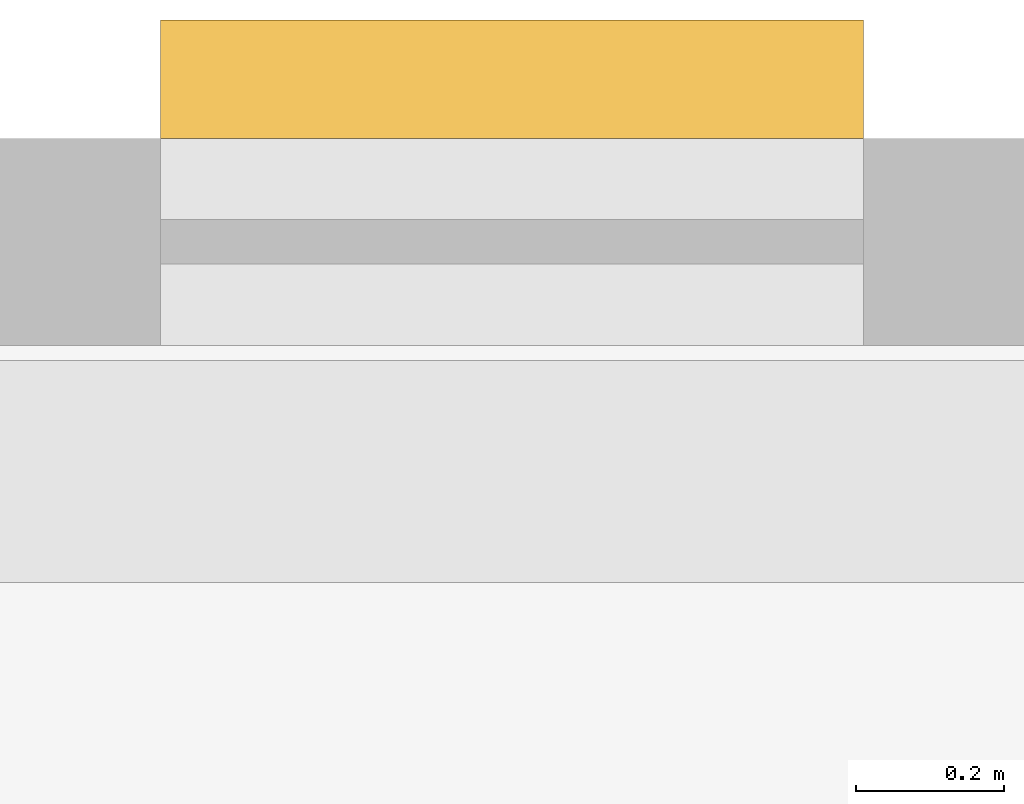
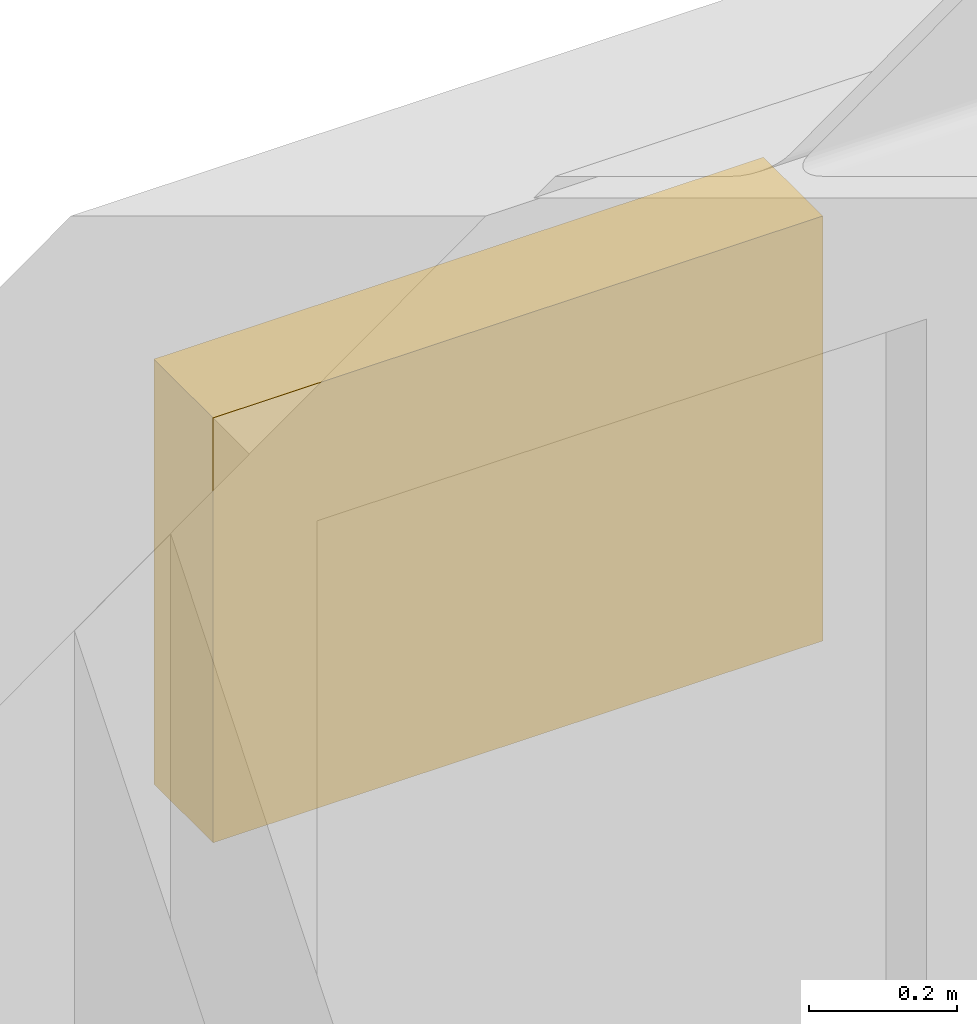
# One storey, part 10 of 10: 1 shading device.
"""IFC4 building model written with IfcOpenShell, lengths in metres."""

from ifc_helpers import new_model, si_unit, direction, frame, origin, origin_2d, place, context, subcontext, project, spatial, rectangle, extrude, material, type_object, element, save


model = new_model("IFC4")

# Units and contexts
model_context = context("Model", 3, precision=1e-05, world=origin(), true_north=direction((0.0, 1.0)))
body_context = subcontext(model_context, "Body", "Model", "MODEL_VIEW")
ifc_project = project(units=[si_unit("LENGTHUNIT", "METRE"), si_unit("AREAUNIT", "SQUARE_METRE"), si_unit("VOLUMEUNIT", "CUBIC_METRE"), si_unit("PLANEANGLEUNIT", "RADIAN"), si_unit("MASSUNIT", "GRAM", prefix="KILO")], contexts=[model_context])

# Site, building, storey
site_placement = place(None, origin())
site = spatial("IfcSite", under=ifc_project, at=site_placement, CompositionType="ELEMENT")
building_placement = place(site_placement, origin())
building = spatial("IfcBuilding", under=site, at=building_placement, Name="Orvandelia Arch Residences", CompositionType="ELEMENT")
storey_placement = place(building_placement, frame((0.0, 0.0, 232.60009765625)))
storey = spatial("IfcBuildingStorey", under=building, at=storey_placement, Name="L61", CompositionType="ELEMENT", Elevation=232.60009765625)

# Shading device
ifc_material = material(Name="Anodised Champagne-Bronze Extruded Aluminium", Category="aluminium")
shading_device_type = type_object("IfcShadingDeviceType", Name="SHD-JALOUSIE-SCREEN", PredefinedType="JALOUSIE", material=ifc_material)
shading_device_placement = place(storey_placement, frame((17.9775390625, 48.080078125, 1.5498046875), z_axis=(0.0, 0.0, 1.0), x_axis=(1.0, 0.0, 0.0)))
element("IfcShadingDevice", 1, at=shading_device_placement, inside=storey, type_object=shading_device_type, Name="Bronze Jalousie Sun-Shade L61-001", PredefinedType="JALOUSIE", context=body_context, shape_type="SweptSolid", body=[
    extrude(rectangle(XDim=0.949951171875, YDim=0.159912109375, at=origin_2d()), origin(), (0.0, 0.0, 1.0), 0.699951171875),
])

save(model, "model.ifc")
